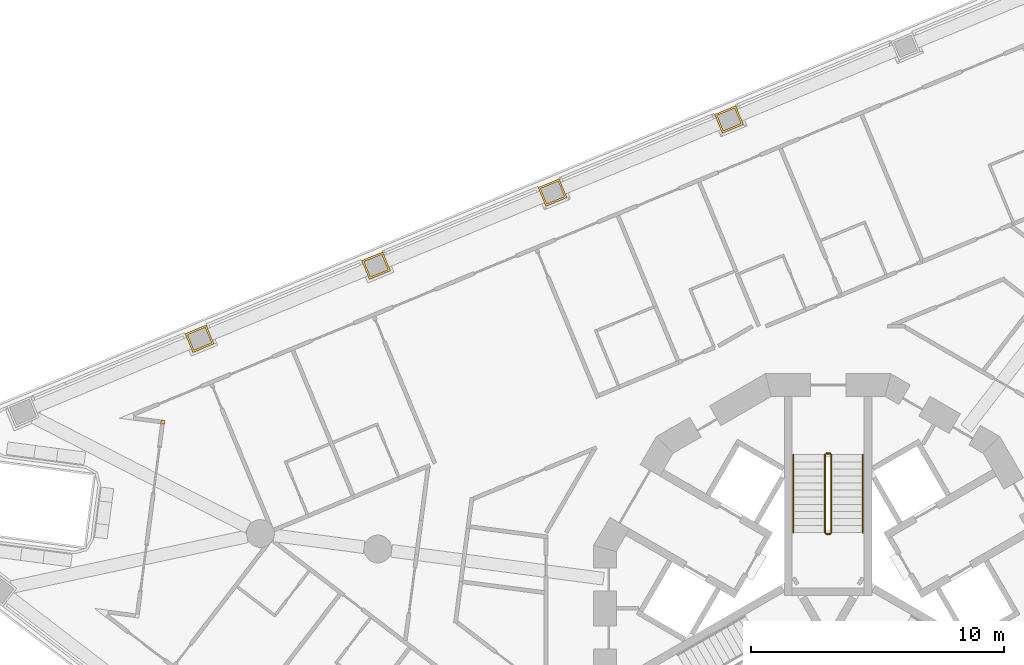
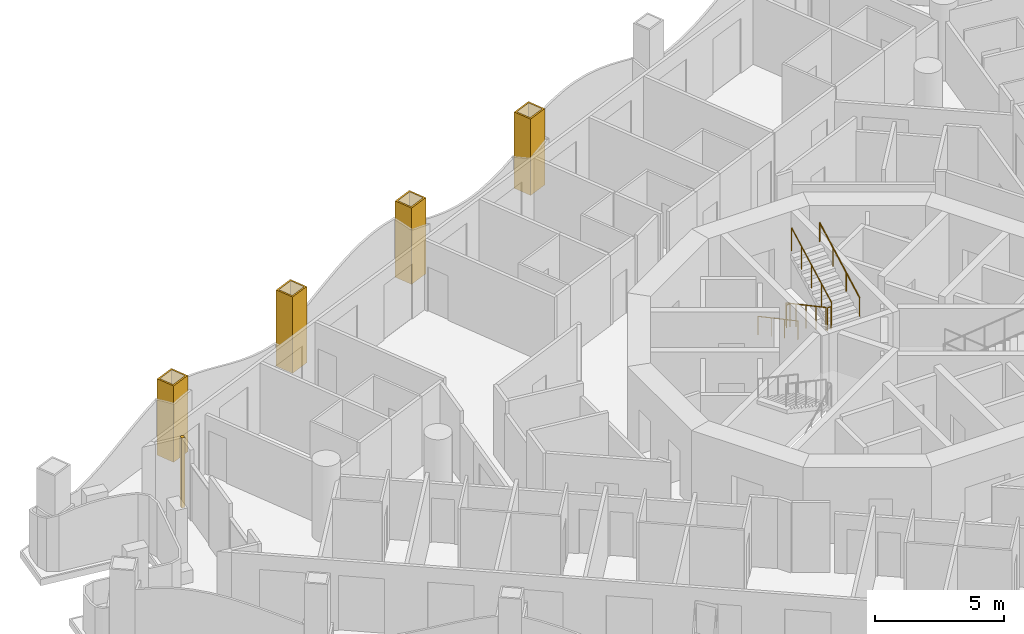
# One storey, part 16 of 18: 6 railings, 5 coverings.
"""IFC4 building model written with IfcOpenShell, lengths in metres."""

import ifcopenshell
import ifcopenshell.guid

model = None  # the IFC model being written
_history = None  # IfcOwnerHistory: only IFC2X3 demands one
_inside = {}  # id of a spatial element -> (the spatial element, [elements in it])
_under = {}  # id of a project, library or spatial element -> (it, [spatial elements below it])
_declared = {}  # id of a project -> (the project, [libraries it declares])
_typed = {}  # id of a type object -> (the type object, [elements of that type])
_made_of = {}  # id of a material, layer set ... -> (it, [elements and type objects made of it])


def new_model(schema):
    """Start an empty IFC model of exactly this schema.

    Asked for "IFC4X3", IfcOpenShell would pick the latest addendum, in which some entities
    have other attributes; the version numbers below select the first issue.
    IFC2X3 requires an IfcOwnerHistory on every rooted entity: one is made here for all.
    """
    global model, _history
    if schema == "IFC4X3":
        model = ifcopenshell.file(schema_version=(4, 3, 0, 0))
    else:
        model = ifcopenshell.file(schema=schema)
    _inside.clear()
    _under.clear()
    _declared.clear()
    _typed.clear()
    _made_of.clear()
    _history = None
    if model.schema == "IFC2X3":
        org = make("IfcOrganization", Name="unknown")
        user = make(
            "IfcPersonAndOrganization",
            ThePerson=make("IfcPerson", FamilyName="unknown"),
            TheOrganization=org,
        )
        app = make(
            "IfcApplication",
            ApplicationDeveloper=org,
            Version="unknown",
            ApplicationFullName="unknown",
            ApplicationIdentifier="unknown",
        )
        _history = make(
            "IfcOwnerHistory",
            OwningUser=user,
            OwningApplication=app,
            ChangeAction="ADDED",
            CreationDate=0,
        )
    return model


def make(cls, **values):
    """One entity of the class cls with the attributes given. An attribute that is None is left unset."""
    return model.create_entity(
        cls, **{name: value for name, value in values.items() if value is not None}
    )


def rooted(cls, **values):
    """An entity with a GlobalId (a new one), such as an element, a storey or a relation."""
    return make(cls, GlobalId=ifcopenshell.guid.new(), OwnerHistory=_history, **values)


def si_unit(unit_type, name, prefix=None):
    """IfcSIUnit, for example si_unit("LENGTHUNIT", "METRE", prefix="MILLI")."""
    return make("IfcSIUnit", UnitType=unit_type, Prefix=prefix, Name=name)


def assignment(units):
    """IfcUnitAssignment: the units of a project."""
    return None if units is None else make("IfcUnitAssignment", Units=units)


def point(xyz):
    """IfcCartesianPoint."""
    return None if xyz is None else make("IfcCartesianPoint", Coordinates=xyz)


def direction(xyz):
    """IfcDirection."""
    return None if xyz is None else make("IfcDirection", DirectionRatios=xyz)


def frame(location, z_axis=None, x_axis=None):
    """IfcAxis2Placement3D, a coordinate frame: its origin and axes. An axis left out is left unset."""
    return make(
        "IfcAxis2Placement3D",
        Location=point(location),
        Axis=direction(z_axis),
        RefDirection=direction(x_axis),
    )


def frame_2d(location, x_axis=None):
    """IfcAxis2Placement2D, a coordinate frame in the plane: its origin and x axis."""
    return make(
        "IfcAxis2Placement2D", Location=point(location), RefDirection=direction(x_axis)
    )


def origin():
    """The frame at (0, 0, 0) with its axes left unset."""
    return frame((0.0, 0.0, 0.0))


def origin_2d():
    """The frame at (0, 0) in the plane with its x axis left unset."""
    return frame_2d((0.0, 0.0))


def place(relative_to, where):
    """IfcLocalPlacement: puts the frame where relative to a parent placement (None: the world)."""
    return make(
        "IfcLocalPlacement", PlacementRelTo=relative_to, RelativePlacement=where
    )


def context(
    kind, dimensions, precision=None, world=None, true_north=None, identifier=None
):
    """IfcGeometricRepresentationContext, for example the 3D "Model" context."""
    return make(
        "IfcGeometricRepresentationContext",
        ContextIdentifier=identifier,
        ContextType=kind,
        CoordinateSpaceDimension=dimensions,
        Precision=precision,
        WorldCoordinateSystem=world,
        TrueNorth=true_north,
    )


def subcontext(parent, identifier, kind, view, scale=None):
    """IfcGeometricRepresentationSubContext, for example "Body" below "Model"."""
    return make(
        "IfcGeometricRepresentationSubContext",
        ContextIdentifier=identifier,
        ContextType=kind,
        ParentContext=parent,
        TargetScale=scale,
        TargetView=view,
    )


def project(units=None, contexts=None):
    """IfcProject with its units and contexts."""
    return rooted(
        "IfcProject",
        Name="project",
        RepresentationContexts=contexts,
        UnitsInContext=assignment(units),
    )


def spatial(cls, under=None, at=None, **own):
    """A site, building, storey or space (cls), placed at a placement, below another one or the project."""
    s = rooted(cls, ObjectPlacement=at, **own)
    if under is not None:
        _under.setdefault(under.id(), (under, []))[1].append(s)
    return s


def polyline(points):
    """IfcPolyline through the points."""
    return make("IfcPolyline", Points=[point(p) for p in points])


def profile(cls, at=None, kind="AREA", **sizes):
    """A parametric profile (cls). Its sizes go by their IFC names, for example OverallWidth=200.0."""
    return make(cls, ProfileType=kind, Position=at, **sizes)


def circle(**sizes):
    """IfcCircleProfileDef."""
    return profile("IfcCircleProfileDef", **sizes)


def outline(outer, holes=None, kind="AREA"):
    """IfcArbitraryClosedProfileDef: a profile drawn as a closed curve; with holes, ...WithVoids."""
    if holes is None:
        return make("IfcArbitraryClosedProfileDef", ProfileType=kind, OuterCurve=outer)
    return make(
        "IfcArbitraryProfileDefWithVoids",
        ProfileType=kind,
        OuterCurve=outer,
        InnerCurves=holes,
    )


def extrude(swept, where, along, depth):
    """IfcExtrudedAreaSolid: the profile swept, set in the frame where, extruded along a direction by depth."""
    return make(
        "IfcExtrudedAreaSolid",
        SweptArea=swept,
        Position=where,
        ExtrudedDirection=direction(along),
        Depth=depth,
    )


def shape(context_of_items, identifier, shape_type, items):
    """IfcShapeRepresentation: the items that make up one representation, for example the "Body"."""
    return make(
        "IfcShapeRepresentation",
        ContextOfItems=context_of_items,
        RepresentationIdentifier=identifier,
        RepresentationType=shape_type,
        Items=items,
    )


def material(Name=None, Category=None):
    """IfcMaterial."""
    return make("IfcMaterial", Name=Name, Category=Category)


def layer(
    of_material, thickness, ventilated=None, Name=None, Category=None, Priority=None
):
    """IfcMaterialLayer: one layer of a wall or slab, of a material (None: an air gap)."""
    return make(
        "IfcMaterialLayer",
        Material=of_material,
        LayerThickness=thickness,
        IsVentilated=ventilated,
        Name=Name,
        Category=Category,
        Priority=Priority,
    )


def layer_set(layers, Name=None):
    """IfcMaterialLayerSet."""
    return make("IfcMaterialLayerSet", MaterialLayers=layers, LayerSetName=Name)


def made_of(thing, what):
    """Note that an element or type object is made of a material, layer set ...; save() writes the relation."""
    if what is not None:
        _made_of.setdefault(what.id(), (what, []))[1].append(thing)
    return thing


def type_object(cls, material=None, **own):
    """A type object (cls), such as IfcWallType, which elements share."""
    return made_of(rooted(cls, **own), material)


def element(
    cls,
    number,
    at=None,
    inside=None,
    cuts=None,
    type_object=None,
    material=None,
    context=None,
    identifier="Body",
    shape_type=None,
    held_by="IfcProductDefinitionShape",
    body=None,
    shapes=None,
    **own,
):
    """One element of the class cls, such as IfcWall. Its Tag is "e" and its number.

    at: its placement. inside: the storey or other place that contains it. cuts: it is an
    opening in that element (IfcRelVoidsElement). A single representation is given by context,
    identifier, shape_type and body (its items); several are given by shapes. held_by: the class
    of the entity that holds the representations. save() writes the other relations.
    """
    e = rooted(cls, Tag="e%d" % number, ObjectPlacement=at, **own)
    if body is not None:
        shapes = [shape(context, identifier, shape_type, body)]
    if shapes is not None:
        e.Representation = make(held_by, Representations=shapes)
    if inside is not None:
        _inside.setdefault(inside.id(), (inside, []))[1].append(e)
    if cuts is not None:
        rooted(
            "IfcRelVoidsElement", RelatingBuildingElement=cuts, RelatedOpeningElement=e
        )
    if type_object is not None:
        _typed.setdefault(type_object.id(), (type_object, []))[1].append(e)
    return made_of(e, material)


def aggregate(whole, parts):
    """IfcRelAggregates: a whole, such as a stair, and the parts it consists of."""
    return rooted("IfcRelAggregates", RelatingObject=whole, RelatedObjects=parts)


def save(model, path):
    """Write the relations noted so far, then the file.

    IfcRelAggregates (storeys below a building ...), IfcRelContainedInSpatialStructure (elements
    in a storey), IfcRelDefinesByType, IfcRelAssociatesMaterial and IfcRelDeclares: one each for
    every whole, place, type object, material and project.
    """
    for whole, parts in _under.values():
        aggregate(whole, parts)
    for where, things in _inside.values():
        rooted(
            "IfcRelContainedInSpatialStructure",
            RelatedElements=things,
            RelatingStructure=where,
        )
    for kind, things in _typed.values():
        rooted("IfcRelDefinesByType", RelatedObjects=things, RelatingType=kind)
    for what, things in _made_of.values():
        rooted("IfcRelAssociatesMaterial", RelatedObjects=things, RelatingMaterial=what)
    for by, libraries in _declared.values():
        rooted("IfcRelDeclares", RelatingContext=by, RelatedDefinitions=libraries)
    model.write(path)


model = new_model("IFC4")

# Units and contexts
model_context = context("Model", 3, precision=1e-05, world=origin(), true_north=direction((0.0, 1.0)))
body_context = subcontext(model_context, "Body", "Model", "MODEL_VIEW")
ifc_project = project(units=[si_unit("LENGTHUNIT", "METRE"), si_unit("AREAUNIT", "SQUARE_METRE"), si_unit("VOLUMEUNIT", "CUBIC_METRE"), si_unit("PLANEANGLEUNIT", "RADIAN"), si_unit("MASSUNIT", "GRAM", prefix="KILO")], contexts=[model_context])

# Site, building, storey
site_placement = place(None, origin())
site = spatial("IfcSite", under=ifc_project, at=site_placement, CompositionType="ELEMENT")
building_placement = place(site_placement, origin())
building = spatial("IfcBuilding", under=site, at=building_placement, Name="Trine Commons Tower", CompositionType="ELEMENT")
storey_placement = place(building_placement, frame((0.0, 0.0, 142.199951171875)))
storey = spatial("IfcBuildingStorey", under=building, at=storey_placement, Name="L36", CompositionType="ELEMENT", Elevation=142.199951171875)

# Coverings
ifc_material_1 = material(Name="Aluminium-framed insulated wall panel", Category="aluminium")
ifc_layer_1 = layer(ifc_material_1, 0.14990234375)
ifc_layer_set_1 = layer_set([ifc_layer_1], Name="Aluminium-framed insulated wall panel")
covering_type_1 = type_object("IfcCoveringType", Name="Glazing corner post, aluminium", PredefinedType="CLADDING", material=ifc_layer_set_1)
covering_1_placement = place(storey_placement, origin())
element("IfcCovering", 1, at=covering_1_placement, inside=storey, type_object=covering_type_1, Name="Glazing corner post 4-03", PredefinedType="CLADDING", context=body_context, shape_type="SweptSolid", body=[
    extrude(outline(polyline([(53.610107421875, 69.797119140625), (53.7587890625, 69.77734375), (53.778564453125, 69.926025390625), (53.6298828125, 69.94580078125), (53.610107421875, 69.797119140625)])), origin(), (0.0, 0.0, 1.0), 3.300048828125),
])
ifc_material_2 = material(Name="Limestone, honed", Category="masonry")
ifc_layer_2 = layer(ifc_material_2, 0.074951171875)
ifc_layer_set_2 = layer_set([ifc_layer_2], Name="Limestone, honed")
covering_type_2 = type_object("IfcCoveringType", Name="Limestone column cladding 75", PredefinedType="CLADDING", material=ifc_layer_set_2)
covering_2_placement = place(storey_placement, origin())
element("IfcCovering", 2, at=covering_2_placement, inside=storey, type_object=covering_type_2, Name="Limestone pier cladding 4-10", PredefinedType="CLADDING", context=body_context, shape_type="SweptSolid", body=[
    extrude(outline(polyline([(55.719970703125, 72.957763671875), (55.413818359375, 73.69677734375), (54.582275390625, 73.352294921875), (54.888427734375, 72.61328125), (55.719970703125, 72.957763671875)]), holes=[polyline([(55.621826171875, 72.998291015625), (55.373291015625, 73.598876953125), (54.680419921875, 73.311767578125), (54.928955078125, 72.711181640625), (55.621826171875, 72.998291015625)])]), origin(), (0.0, 0.0, 1.0), 3.60009765625),
])
covering_3_placement = place(storey_placement, origin())
element("IfcCovering", 3, at=covering_3_placement, inside=storey, type_object=covering_type_2, Name="Limestone pier cladding 4-11", PredefinedType="CLADDING", context=body_context, shape_type="SweptSolid", body=[
    extrude(outline(polyline([(62.697021484375, 75.84765625), (62.390869140625, 76.5869140625), (61.559326171875, 76.2421875), (61.865478515625, 75.503173828125), (62.697021484375, 75.84765625)]), holes=[polyline([(62.59912109375, 75.88818359375), (62.350341796875, 76.48876953125), (61.657470703125, 76.201904296875), (61.906005859375, 75.601318359375), (62.59912109375, 75.88818359375)])]), origin(), (0.0, 0.0, 1.0), 3.60009765625),
])
covering_4_placement = place(storey_placement, origin())
element("IfcCovering", 4, at=covering_4_placement, inside=storey, type_object=covering_type_2, Name="Limestone pier cladding 4-12", PredefinedType="CLADDING", context=body_context, shape_type="SweptSolid", body=[
    extrude(outline(polyline([(69.674072265625, 78.73779296875), (69.367919921875, 79.476806640625), (68.53662109375, 79.13232421875), (68.842529296875, 78.393310546875), (69.674072265625, 78.73779296875)]), holes=[polyline([(69.576171875, 78.7783203125), (69.327392578125, 79.37890625), (68.634521484375, 79.091796875), (68.88330078125, 78.4912109375), (69.576171875, 78.7783203125)])]), origin(), (0.0, 0.0, 1.0), 3.60009765625),
])
covering_5_placement = place(storey_placement, origin())
element("IfcCovering", 5, at=covering_5_placement, inside=storey, type_object=covering_type_2, Name="Limestone pier cladding 4-13", PredefinedType="CLADDING", context=body_context, shape_type="SweptSolid", body=[
    extrude(outline(polyline([(76.651123046875, 81.627685546875), (76.34521484375, 82.366943359375), (75.513671875, 82.0224609375), (75.819580078125, 81.283203125), (76.651123046875, 81.627685546875)]), holes=[polyline([(76.55322265625, 81.668212890625), (76.304443359375, 82.268798828125), (75.611572265625, 81.98193359375), (75.8603515625, 81.38134765625), (76.55322265625, 81.668212890625)])]), origin(), (0.0, 0.0, 1.0), 3.60009765625),
])

# Railings
ifc_material_3 = material(Name="Stainless steel balustrade", Category="steel")
railing_type_1 = type_object("IfcRailingType", Name="Stair guard, steel balustrade 1100", PredefinedType="GUARDRAIL", material=ifc_material_3)
railing_1_placement = place(storey_placement, frame((79.875, 68.570556640625, 0.150146484375)))
element("IfcRailing", 6, at=railing_1_placement, inside=storey, type_object=railing_type_1, Name="L36 ST1B stair guard 1", PredefinedType="GUARDRAIL", context=body_context, shape_type="SweptSolid", body=[
    extrude(circle(Radius=0.02392578125, at=origin_2d()), frame((0.0, 0.0, 1.076171875), z_axis=(0.0, -0.881496589024, 0.472190389079), x_axis=(1.0, 0.0, 0.0)), (0.0, 0.0, 1.0), 3.494140625),
    extrude(circle(Radius=0.02099609375, at=origin_2d()), origin(), (0.0, 0.0, 1.0), 1.052001953125),
    extrude(circle(Radius=0.02099609375, at=origin_2d()), frame((0.0, -0.77001953125, 0.41259765625)), (0.0, 0.0, 1.0), 1.052001953125),
    extrude(circle(Radius=0.02099609375, at=origin_2d()), frame((0.0, -1.5400390625, 0.824951171875)), (0.0, 0.0, 1.0), 1.052001953125),
    extrude(circle(Radius=0.02099609375, at=origin_2d()), frame((0.0, -2.31005859375, 1.2373046875)), (0.0, 0.0, 1.0), 1.052001953125),
    extrude(circle(Radius=0.02099609375, at=origin_2d()), frame((0.0, -3.080078125, 1.64990234375)), (0.0, 0.0, 1.0), 1.052001953125),
])
railing_2_placement = place(storey_placement, frame((79.925048828125, 65.440673828125, 1.800048828125)))
element("IfcRailing", 7, at=railing_2_placement, inside=storey, type_object=railing_type_1, Name="L36 ST1B stair guard 2", PredefinedType="GUARDRAIL", context=body_context, shape_type="SweptSolid", body=[
    extrude(circle(Radius=0.02392578125, at=origin_2d()), frame((0.0, 0.0, 1.076171875), z_axis=(1.0, 0.0, 0.0), x_axis=(0.0, 1.0, 0.0)), (0.0, 0.0, 1.0), 0.14990234375),
    extrude(circle(Radius=0.02099609375, at=origin_2d()), origin(), (0.0, 0.0, 1.0), 1.052001953125),
    extrude(circle(Radius=0.02099609375, at=origin_2d()), frame((0.14990234375, 0.0, 0.0)), (0.0, 0.0, 1.0), 1.052001953125),
])
railing_3_placement = place(storey_placement, frame((80.125, 65.490478515625, 1.949951171875)))
element("IfcRailing", 8, at=railing_3_placement, inside=storey, type_object=railing_type_1, Name="L36 ST1B stair guard 3", PredefinedType="GUARDRAIL", context=body_context, shape_type="SweptSolid", body=[
    extrude(circle(Radius=0.02392578125, at=origin_2d()), frame((0.0, 0.0, 1.076171875), z_axis=(0.0, 0.881467505477, 0.472244678941), x_axis=(-1.0, 0.0, 0.0)), (0.0, 0.0, 1.0), 3.494140625),
    extrude(circle(Radius=0.02099609375, at=origin_2d()), origin(), (0.0, 0.0, 1.0), 1.052001953125),
    extrude(circle(Radius=0.02099609375, at=origin_2d()), frame((0.0, 0.77001953125, 0.41259765625)), (0.0, 0.0, 1.0), 1.052001953125),
    extrude(circle(Radius=0.02099609375, at=origin_2d()), frame((0.0, 1.5400390625, 0.8251953125)), (0.0, 0.0, 1.0), 1.052001953125),
    extrude(circle(Radius=0.02099609375, at=origin_2d()), frame((0.0, 2.31005859375, 1.237548828125)), (0.0, 0.0, 1.0), 1.052001953125),
    extrude(circle(Radius=0.02099609375, at=origin_2d()), frame((0.0, 3.080078125, 1.650146484375)), (0.0, 0.0, 1.0), 1.052001953125),
])
railing_4_placement = place(storey_placement, frame((79.925048828125, 68.62060546875, 0.0)))
element("IfcRailing", 9, at=railing_4_placement, inside=storey, type_object=railing_type_1, Name="L36 ST1B stair guard 4", PredefinedType="GUARDRAIL", context=body_context, shape_type="SweptSolid", body=[
    extrude(circle(Radius=0.02392578125, at=origin_2d()), frame((0.0, 0.0, 1.076171875), z_axis=(1.0, 0.0, 0.0), x_axis=(0.0, 1.0, 0.0)), (0.0, 0.0, 1.0), 0.14990234375),
    extrude(circle(Radius=0.02099609375, at=origin_2d()), origin(), (0.0, 0.0, 1.0), 1.052001953125),
    extrude(circle(Radius=0.02099609375, at=origin_2d()), frame((0.14990234375, 0.0, 0.0)), (0.0, 0.0, 1.0), 1.052001953125),
])
ifc_material_4 = material(Name="Stainless steel handrail", Category="steel")
railing_type_2 = type_object("IfcRailingType", Name="Stair handrail, steel 900", PredefinedType="HANDRAIL", material=ifc_material_4)
railing_5_placement = place(storey_placement, frame((78.625, 68.570556640625, 0.150146484375)))
element("IfcRailing", 10, at=railing_5_placement, inside=storey, type_object=railing_type_2, Name="L36 ST1B stair handrail 1", PredefinedType="HANDRAIL", context=body_context, shape_type="SweptSolid", body=[
    extrude(circle(Radius=0.02099609375, at=origin_2d()), frame((0.0, 0.0, 0.87890625), z_axis=(0.0, -0.881496589024, 0.472190389079), x_axis=(1.0, 0.0, 0.0)), (0.0, 0.0, 1.0), 3.494140625),
    extrude(circle(Radius=0.01513671875, at=origin_2d()), origin(), (0.0, 0.0, 1.0), 0.85791015625),
    extrude(circle(Radius=0.01513671875, at=origin_2d()), frame((0.0, -1.026611328125, 0.550048828125)), (0.0, 0.0, 1.0), 0.85791015625),
    extrude(circle(Radius=0.01513671875, at=origin_2d()), frame((0.0, -2.053466796875, 1.099853515625)), (0.0, 0.0, 1.0), 0.85791015625),
    extrude(circle(Radius=0.01513671875, at=origin_2d()), frame((0.0, -3.080078125, 1.64990234375)), (0.0, 0.0, 1.0), 0.85791015625),
])
railing_6_placement = place(storey_placement, frame((81.375, 65.490478515625, 1.949951171875)))
element("IfcRailing", 11, at=railing_6_placement, inside=storey, type_object=railing_type_2, Name="L36 ST1B stair handrail 2", PredefinedType="HANDRAIL", context=body_context, shape_type="SweptSolid", body=[
    extrude(circle(Radius=0.02099609375, at=origin_2d()), frame((0.0, 0.0, 0.87890625), z_axis=(0.0, 0.881467505477, 0.472244678941), x_axis=(-1.0, 0.0, 0.0)), (0.0, 0.0, 1.0), 3.494140625),
    extrude(circle(Radius=0.01513671875, at=origin_2d()), origin(), (0.0, 0.0, 1.0), 0.85791015625),
    extrude(circle(Radius=0.01513671875, at=origin_2d()), frame((0.0, 1.026611328125, 0.550048828125)), (0.0, 0.0, 1.0), 0.85791015625),
    extrude(circle(Radius=0.01513671875, at=origin_2d()), frame((0.0, 2.053466796875, 1.10009765625)), (0.0, 0.0, 1.0), 0.85791015625),
    extrude(circle(Radius=0.01513671875, at=origin_2d()), frame((0.0, 3.080078125, 1.650146484375)), (0.0, 0.0, 1.0), 0.85791015625),
])

save(model, "model.ifc")
